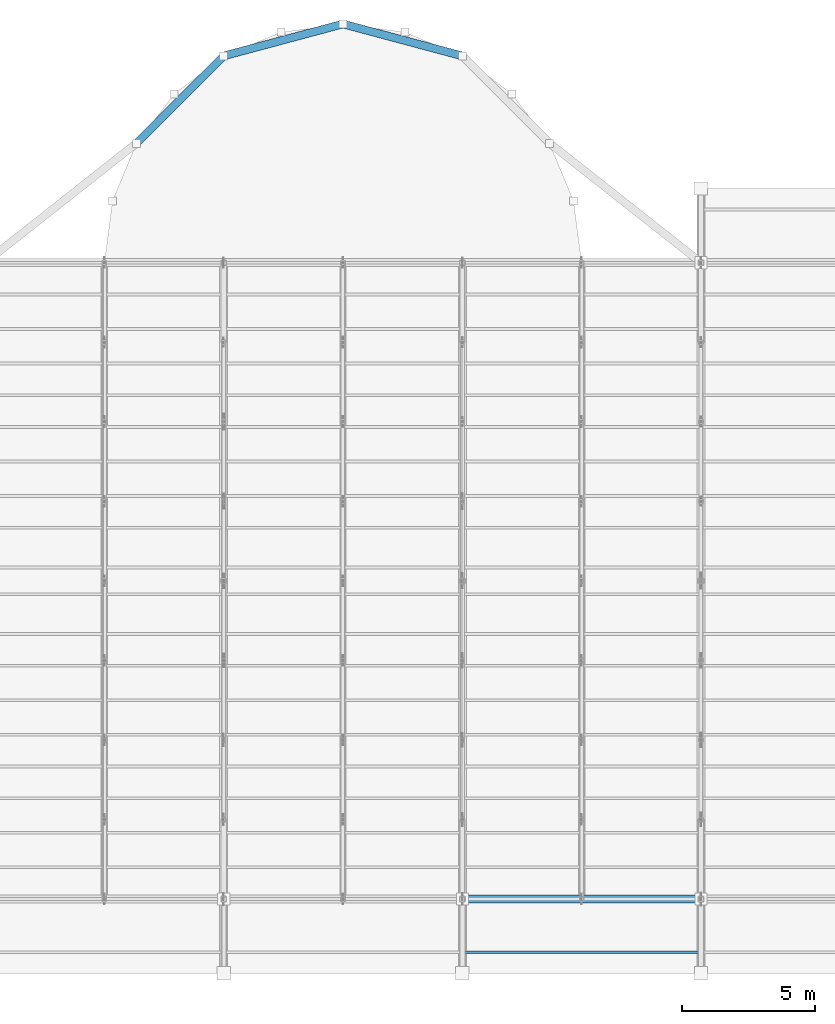
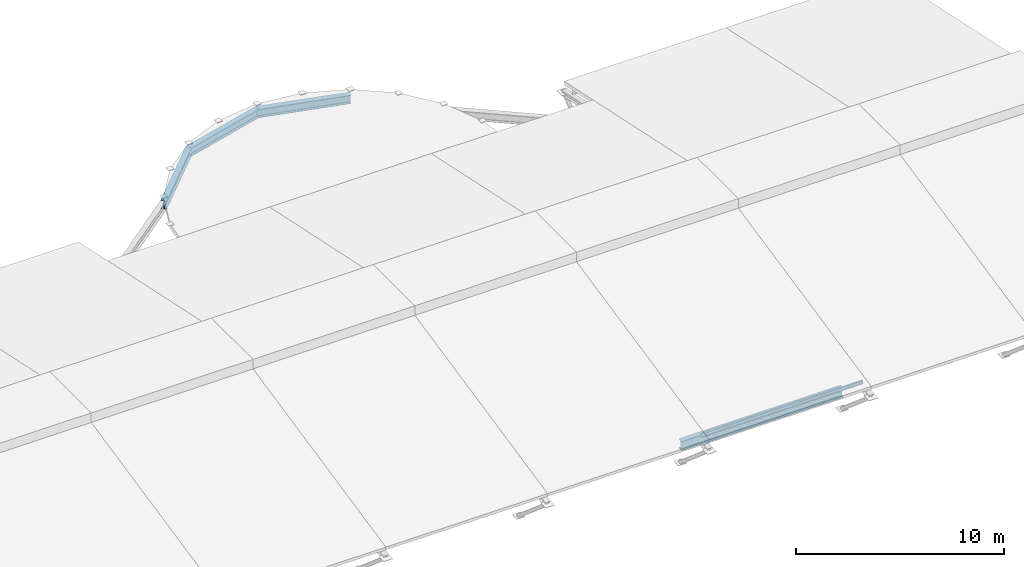
# One storey, part 20 of 43: 4 beams, 1 member.
"""IFC4 building model written with IfcOpenShell, lengths in metres."""

from ifc_helpers import new_model, si_unit, direction, frame, origin, origin_2d, place, context, subcontext, project, spatial, i_section, extrude, material, material_profile, profile_set, type_object, element, save


model = new_model("IFC4")

# Units and contexts
model_context = context("Model", 3, precision=1e-05, world=origin(), true_north=direction((0.0, 1.0)))
body_context = subcontext(model_context, "Body", "Model", "MODEL_VIEW")
ifc_project = project(units=[si_unit("LENGTHUNIT", "METRE"), si_unit("AREAUNIT", "SQUARE_METRE"), si_unit("VOLUMEUNIT", "CUBIC_METRE"), si_unit("PLANEANGLEUNIT", "RADIAN"), si_unit("MASSUNIT", "GRAM", prefix="KILO")], contexts=[model_context])

# Site, building, storey
site_placement = place(None, origin())
site = spatial("IfcSite", under=ifc_project, at=site_placement, CompositionType="ELEMENT")
building_placement = place(site_placement, origin())
building = spatial("IfcBuilding", under=site, at=building_placement, Name="Serraforn Aerial Cableway Station", CompositionType="ELEMENT")
storey_placement = place(building_placement, frame((0.0, 0.0, 18.300048828125)))
storey = spatial("IfcBuildingStorey", under=building, at=storey_placement, Name="RF", CompositionType="ELEMENT", Elevation=18.300048828125)

# Beams
ifc_material_1 = material(Name="Steel S355J2", Category="steel")
ifc_material_profile_1 = material_profile(ifc_material_1, i_section(OverallWidth=0.300048828125, OverallDepth=0.5, WebThickness=0.011962890625, FlangeThickness=0.02294921875, FilletRadius=0.027099609375, at=origin_2d()), Name="HEA 500")
ifc_profile_set_1 = profile_set([ifc_material_profile_1], Name="Steel S355J2")
beam_type_1 = type_object("IfcBeamType", Name="BM-ST-HEA500", PredefinedType="USERDEFINED", material=ifc_profile_set_1)
for number, where, z_axis, x_axis, name in (
    (1, (51.305908203125, 46.5, -0.5), (0.707106781187, 0.707106781187, 0.0), (-0.707106781187, 0.707106781187, 0.0), "Apse Roof Ring Girder 2"),
    (2, (54.60009765625, 49.794189453125, -0.5), (0.965923723713, 0.258826891896, 0.0), (-0.258826891896, 0.965923723713, 0.0), "Apse Roof Ring Girder 3"),
    (3, (59.10009765625, 51.0, -0.5), (0.965923723713, -0.258826891896, 0.0), (0.258826891896, 0.965923723713, 0.0), "Apse Roof Ring Girder 4"),
):
    element("IfcBeam", number, at=place(storey_placement, frame(where, z_axis=z_axis, x_axis=x_axis)), inside=storey, type_object=beam_type_1, Name=name, ObjectType="GIRDER", PredefinedType="USERDEFINED", context=body_context, shape_type="SweptSolid", body=[
        extrude(i_section(OverallWidth=0.300048828125, OverallDepth=0.5, WebThickness=0.011962890625, FlangeThickness=0.02294921875, FilletRadius=0.027099609375, at=origin_2d()), origin(), (0.0, 0.0, 1.0), 4.65869140625),
    ])
ifc_material_profile_2 = material_profile(ifc_material_1, i_section(OverallWidth=0.300048828125, OverallDepth=0.550048828125, WebThickness=0.014892578125, FlangeThickness=0.029052734375, FilletRadius=0.027099609375, at=origin_2d()), Name="HEB 550")
ifc_profile_set_2 = profile_set([ifc_material_profile_2], Name="Steel S355J2")
beam_type_2 = type_object("IfcBeamType", Name="BM-ST-HEB550", PredefinedType="USERDEFINED", material=ifc_profile_set_2)
beam_placement = place(storey_placement, frame((63.60009765625, 18.0, -1.625), z_axis=(1.0, 0.0, 0.0), x_axis=(0.0, 1.0, 0.0)))
element("IfcBeam", 4, at=beam_placement, inside=storey, type_object=beam_type_2, Name="Boarding Hall Eave Girder S-5", ObjectType="GIRDER", PredefinedType="USERDEFINED", context=body_context, shape_type="SweptSolid", body=[
    extrude(i_section(OverallWidth=0.300048828125, OverallDepth=0.550048828125, WebThickness=0.014892578125, FlangeThickness=0.029052734375, FilletRadius=0.027099609375, at=origin_2d()), origin(), (0.0, 0.0, 1.0), 9.0),
])

# Member
ifc_material_2 = material(Name="Steel S355JR", Category="steel")
ifc_material_profile_3 = material_profile(ifc_material_2, i_section(OverallWidth=0.10009765625, OverallDepth=0.199951171875, WebThickness=0.005615234375, FlangeThickness=0.008544921875, FilletRadius=0.011962890625, at=origin_2d()), Name="IPE 200")
ifc_profile_set_3 = profile_set([ifc_material_profile_3], Name="Steel S355JR")
member_type = type_object("IfcMemberType", Name="MEM-PR-IPE200", PredefinedType="PURLIN", material=ifc_profile_set_3)
member_placement = place(storey_placement, frame((63.60009765625, 16.0, 0.14404296875), z_axis=(1.0, 0.0, 0.0), x_axis=(0.0, 1.0, 0.0)))
element("IfcMember", 5, at=member_placement, inside=storey, type_object=member_type, Name="Boarding Hall Purlin 5-1", PredefinedType="PURLIN", context=body_context, shape_type="SweptSolid", body=[
    extrude(i_section(OverallWidth=0.10009765625, OverallDepth=0.199951171875, WebThickness=0.005615234375, FlangeThickness=0.008544921875, FilletRadius=0.011962890625, at=origin_2d()), origin(), (0.0, 0.0, 1.0), 9.0),
])

save(model, "model.ifc")
